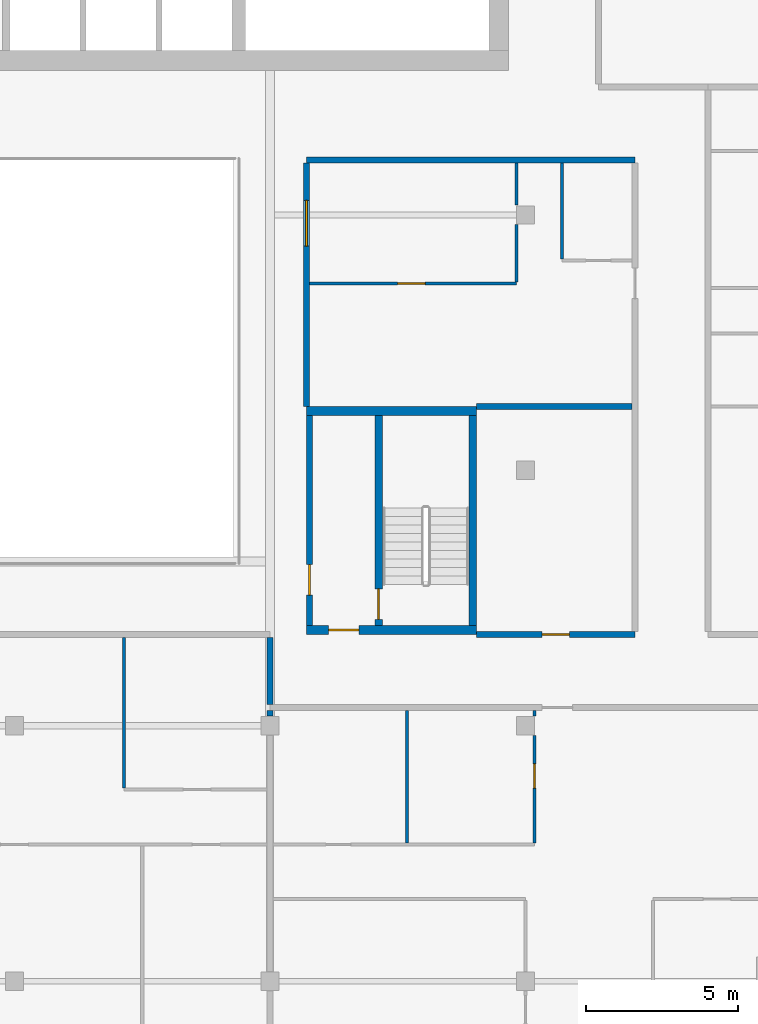
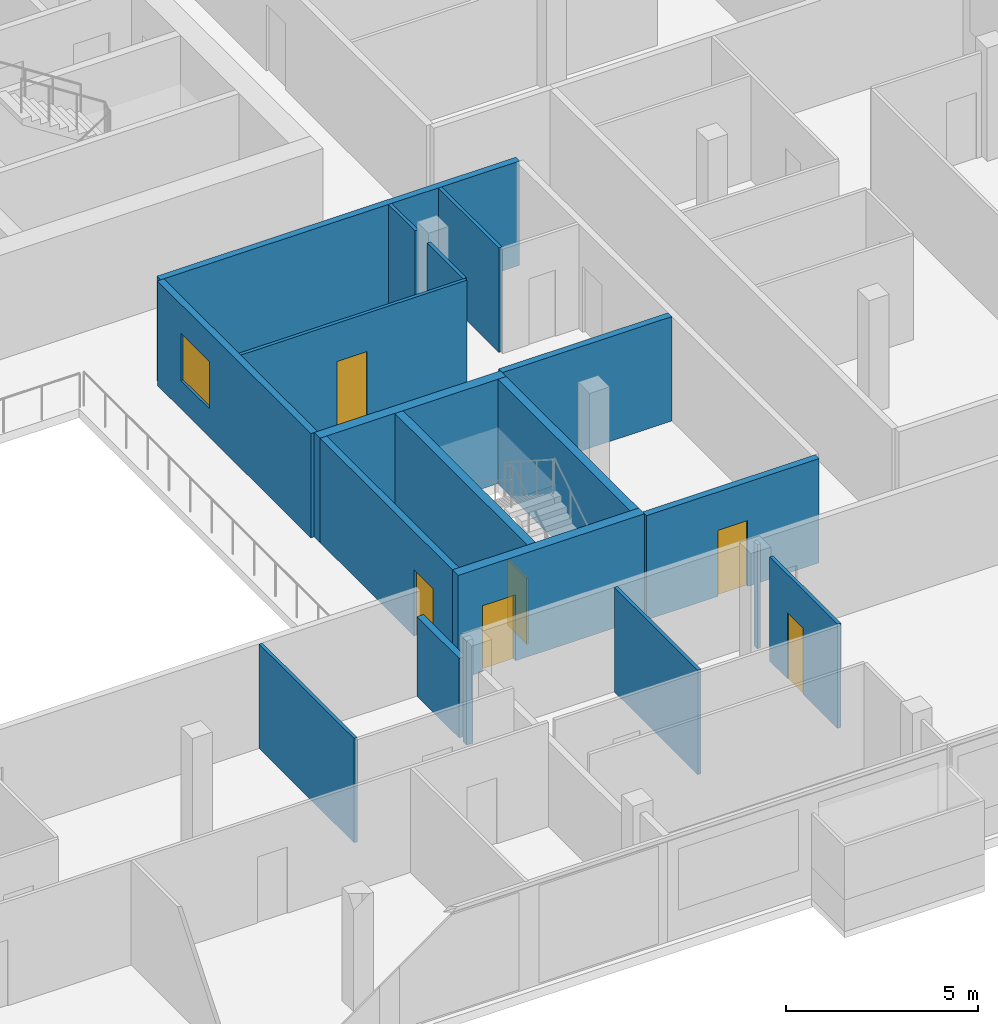
# One storey, part 20 of 30: 19 walls, 6 doors, 1 window, 7 openings.
"""IFC4 building model written with IfcOpenShell, lengths in metres."""

from ifc_helpers import new_model, si_unit, direction, frame, frame_2d, origin, place, context, subcontext, project, spatial, rectangle, extrude, material, layer, layer_set, type_object, element, fill, save


model = new_model("IFC4")

# Units and contexts
model_context = context("Model", 3, precision=1e-05, world=origin(), true_north=direction((0.0, 1.0)))
body_context = subcontext(model_context, "Body", "Model", "MODEL_VIEW")
ifc_project = project(units=[si_unit("LENGTHUNIT", "METRE"), si_unit("AREAUNIT", "SQUARE_METRE"), si_unit("VOLUMEUNIT", "CUBIC_METRE"), si_unit("PLANEANGLEUNIT", "RADIAN"), si_unit("MASSUNIT", "GRAM", prefix="KILO")], contexts=[model_context])

# Site, building, storey
site_placement = place(None, origin())
site = spatial("IfcSite", under=ifc_project, at=site_placement, CompositionType="ELEMENT")
building_placement = place(site_placement, origin())
building = spatial("IfcBuilding", under=site, at=building_placement, Name="Saffron Gate Tower", CompositionType="ELEMENT")
storey_placement = place(building_placement, frame((0.0, 0.0, 223.5)))
storey = spatial("IfcBuildingStorey", under=building, at=storey_placement, Name="L54", CompositionType="ELEMENT", Elevation=223.5)

# Wall, opening, door
ifc_material_1 = material(Name="Gypsum board partition on steel studs", Category="steel")
ifc_layer_1 = layer(ifc_material_1, 0.199951171875)
ifc_layer_set_1 = layer_set([ifc_layer_1], Name="CW10 Core partition 200")
wall_type_1 = type_object("IfcWallType", Name="CW10 Core partition 200", PredefinedType="PARTITIONING", material=ifc_layer_set_1)
wall_1_placement = place(storey_placement, frame((101.5, 43.5, 0.0), z_axis=(0.0, 0.0, 1.0), x_axis=(0.0, 1.0, 0.0)))
wall_1 = element("IfcWall", 1, at=wall_1_placement, inside=storey, type_object=wall_type_1, Name="Wall CW10-L54-E-2", PredefinedType="PARTITIONING", context=body_context, shape_type="SweptSolid", body=[
    extrude(rectangle(XDim=6.89990234375, YDim=0.199951171875, at=frame_2d((3.449951171875, 0.0))), origin(), (0.0, 0.0, 1.0), 3.320068359375),
])
opening_1_placement = place(wall_1_placement, frame((1.0, 0.0, 0.0)))
opening_1 = element("IfcOpeningElement", 2, at=opening_1_placement, cuts=wall_1, Name="Opening CR-22", PredefinedType="OPENING", context=body_context, shape_type="SweptSolid", body=[
    extrude(rectangle(XDim=1.0, YDim=2.10009765625, at=frame_2d((0.5, 1.050048828125))), frame((0.0, 0.10986328125, 0.0), z_axis=(0.0, -1.0, 0.0), x_axis=(1.0, 0.0, 0.0)), (0.0, 0.0, 1.0), 0.219970703125),
])
ifc_material_2 = material(Name="Steel fire door set", Category="steel")
door_type_1 = type_object("IfcDoorType", Name="CD4 Lobby door 1000x2100 EI 120", OperationType="NOTDEFINED", PredefinedType="DOOR", material=ifc_material_2)
door_1_placement = place(opening_1_placement, origin())
door_1 = element("IfcDoor", 3, at=door_1_placement, inside=storey, type_object=door_type_1, Name="DOOR CR-22", OperationType="SINGLE_SWING_LEFT", OverallHeight=2.10009765625, OverallWidth=1.0, PredefinedType="DOOR", context=body_context, shape_type="SweptSolid", body=[
    extrude(rectangle(XDim=1.0, YDim=2.10009765625, at=frame_2d((0.5, 1.050048828125))), frame((0.0, 0.02490234375, 0.0), z_axis=(0.0, -1.0, 0.0), x_axis=(1.0, 0.0, 0.0)), (0.0, 0.0, 1.0), 0.050048828125),
])
fill(opening_1, door_1)

ifc_material_3 = material(Name="Concrete C60", Category="concrete")
ifc_layer_2 = layer(ifc_material_3, 0.25)
ifc_layer_set_2 = layer_set([ifc_layer_2], Name="CW14 RC core wall 250 C60")
wall_type_2 = type_object("IfcWallType", Name="CW14 RC core wall 250 C60", PredefinedType="SOLIDWALL", material=ifc_layer_set_2)
wall_2_placement = place(storey_placement, frame((103.77490234375, 43.5, 0.0), z_axis=(0.0, 0.0, 1.0), x_axis=(0.0, 1.0, 0.0)))
wall_2 = element("IfcWall", 4, at=wall_2_placement, inside=storey, type_object=wall_type_2, Name="Wall CW14-L54-E-3", PredefinedType="SOLIDWALL", context=body_context, shape_type="SweptSolid", body=[
    extrude(rectangle(XDim=6.89990234375, YDim=0.25, at=frame_2d((3.449951171875, 0.0))), origin(), (0.0, 0.0, 1.0), 3.320068359375),
])
opening_2_placement = place(wall_2_placement, frame((0.199951171875, 0.0, 0.0)))
opening_2 = element("IfcOpeningElement", 5, at=opening_2_placement, cuts=wall_2, Name="Opening CR-23", PredefinedType="OPENING", context=body_context, shape_type="SweptSolid", body=[
    extrude(rectangle(XDim=1.0, YDim=2.10009765625, at=frame_2d((0.5, 1.050048828125))), frame((0.0, 0.135009765625, 0.0), z_axis=(0.0, -1.0, 0.0), x_axis=(1.0, 0.0, 0.0)), (0.0, 0.0, 1.0), 0.27001953125),
])
door_type_2 = type_object("IfcDoorType", Name="CD5 Stair door 1000x2100 EI 120", OperationType="NOTDEFINED", PredefinedType="DOOR", material=ifc_material_2)
door_2_placement = place(opening_2_placement, origin())
door_2 = element("IfcDoor", 6, at=door_2_placement, inside=storey, type_object=door_type_2, Name="DOOR CR-23", OperationType="SINGLE_SWING_RIGHT", OverallHeight=2.10009765625, OverallWidth=1.0, PredefinedType="DOOR", context=body_context, shape_type="SweptSolid", body=[
    extrude(rectangle(XDim=1.0, YDim=2.10009765625, at=frame_2d((0.5, 1.050048828125))), frame((0.0, 0.02490234375, 0.0), z_axis=(0.0, -1.0, 0.0), x_axis=(1.0, 0.0, 0.0)), (0.0, 0.0, 1.0), 0.050048828125),
])
fill(opening_2, door_2)

# Wall
wall_3_placement = place(storey_placement, frame((106.875, 43.5, 0.0), z_axis=(0.0, 0.0, 1.0), x_axis=(0.0, 1.0, 0.0)))
element("IfcWall", 7, at=wall_3_placement, inside=storey, type_object=wall_type_2, Name="Wall CW14-L54-E-4", PredefinedType="SOLIDWALL", context=body_context, shape_type="SweptSolid", body=[
    extrude(rectangle(XDim=6.89990234375, YDim=0.25, at=frame_2d((3.449951171875, 0.0))), origin(), (0.0, 0.0, 1.0), 3.320068359375),
])

# Wall, opening, door
ifc_layer_3 = layer(ifc_material_3, 0.300048828125)
ifc_layer_set_3 = layer_set([ifc_layer_3], Name="CW17 RC core wall 300 C60")
wall_type_3 = type_object("IfcWallType", Name="CW17 RC core wall 300 C60", PredefinedType="SOLIDWALL", material=ifc_layer_set_3)
wall_4_placement = place(storey_placement, frame((101.39990234375, 43.35009765625, 0.0), z_axis=(0.0, 0.0, 1.0), x_axis=(1.0, 0.0, 0.0)))
wall_4 = element("IfcWall", 8, at=wall_4_placement, inside=storey, type_object=wall_type_3, Name="Wall CW17-L54-E-1", PredefinedType="SOLIDWALL", context=body_context, shape_type="SweptSolid", body=[
    extrude(rectangle(XDim=5.60009765625, YDim=0.300048828125, at=frame_2d((2.800048828125, 0.0))), origin(), (0.0, 0.0, 1.0), 3.320068359375),
])
opening_3_placement = place(wall_4_placement, frame((0.72509765625, 0.0, 0.0)))
opening_3 = element("IfcOpeningElement", 9, at=opening_3_placement, cuts=wall_4, Name="Opening CR-21", PredefinedType="OPENING", context=body_context, shape_type="SweptSolid", body=[
    extrude(rectangle(XDim=1.0, YDim=2.10009765625, at=frame_2d((0.5, 1.050048828125))), frame((0.0, 0.16015625, 0.0), z_axis=(0.0, -1.0, 0.0), x_axis=(1.0, 0.0, 0.0)), (0.0, 0.0, 1.0), 0.320068359375),
])
door_3_placement = place(opening_3_placement, origin())
door_3 = element("IfcDoor", 10, at=door_3_placement, inside=storey, type_object=door_type_1, Name="DOOR CR-21", OperationType="SINGLE_SWING_RIGHT", OverallHeight=2.10009765625, OverallWidth=1.0, PredefinedType="DOOR", context=body_context, shape_type="SweptSolid", body=[
    extrude(rectangle(XDim=1.0, YDim=2.10009765625, at=frame_2d((0.5, 1.050048828125))), frame((0.0, 0.02490234375, 0.0), z_axis=(0.0, -1.0, 0.0), x_axis=(1.0, 0.0, 0.0)), (0.0, 0.0, 1.0), 0.050048828125),
])
fill(opening_3, door_3)

# Wall
wall_5_placement = place(storey_placement, frame((101.39990234375, 50.550048828125, 0.0), z_axis=(0.0, 0.0, 1.0), x_axis=(1.0, 0.0, 0.0)))
element("IfcWall", 11, at=wall_5_placement, inside=storey, type_object=wall_type_3, Name="Wall CW17-L54-E-5", PredefinedType="SOLIDWALL", context=body_context, shape_type="SweptSolid", body=[
    extrude(rectangle(XDim=5.60009765625, YDim=0.300048828125, at=frame_2d((2.800048828125, 0.0))), origin(), (0.0, 0.0, 1.0), 3.320068359375),
])

# Wall, opening, door
ifc_material_4 = material(Name="Plasterboard on steel studs", Category="steel")
ifc_layer_4 = layer(ifc_material_4, 0.10009765625)
ifc_layer_set_4 = layer_set([ifc_layer_4], Name="PW1 Partition 100")
wall_type_4 = type_object("IfcWallType", Name="PW1 Partition 100", PredefinedType="PARTITIONING", material=ifc_layer_set_4)
wall_6_placement = place(storey_placement, frame((101.5, 54.75, 0.0), z_axis=(0.0, 0.0, 1.0), x_axis=(1.0, 0.0, 0.0)))
wall_6 = element("IfcWall", 12, at=wall_6_placement, inside=storey, type_object=wall_type_4, Name="Partition D2-31", PredefinedType="PARTITIONING", context=body_context, shape_type="SweptSolid", body=[
    extrude(rectangle(XDim=6.800048828125, YDim=0.10009765625, at=frame_2d((3.39990234375, 0.0))), origin(), (0.0, 0.0, 1.0), 3.320068359375),
])
opening_4_placement = place(wall_6_placement, frame((2.89990234375, 0.0, 0.0)))
opening_4 = element("IfcOpeningElement", 13, at=opening_4_placement, cuts=wall_6, Name="Opening D2-38", PredefinedType="OPENING", context=body_context, shape_type="SweptSolid", body=[
    extrude(rectangle(XDim=0.89990234375, YDim=2.10009765625, at=frame_2d((0.449951171875, 1.050048828125))), frame((0.0, 0.06005859375, 0.0), z_axis=(0.0, -1.0, 0.0), x_axis=(1.0, 0.0, 0.0)), (0.0, 0.0, 1.0), 0.1201171875),
])
ifc_material_5 = material(Name="Timber door set", Category="wood")
door_type_3 = type_object("IfcDoorType", Name="RD1 Room door 900x2100", OperationType="NOTDEFINED", PredefinedType="DOOR", material=ifc_material_5)
door_4_placement = place(opening_4_placement, origin())
door_4 = element("IfcDoor", 14, at=door_4_placement, inside=storey, type_object=door_type_3, Name="Door D2-38", OperationType="SINGLE_SWING_LEFT", OverallHeight=2.10009765625, OverallWidth=0.89990234375, PredefinedType="DOOR", context=body_context, shape_type="SweptSolid", body=[
    extrude(rectangle(XDim=0.89990234375, YDim=2.10009765625, at=frame_2d((0.449951171875, 1.050048828125))), frame((0.0, 0.02490234375, 0.0), z_axis=(0.0, -1.0, 0.0), x_axis=(1.0, 0.0, 0.0)), (0.0, 0.0, 1.0), 0.050048828125),
])
fill(opening_4, door_4)

# Walls
wall_7_placement = place(storey_placement, frame((95.39990234375, 43.10009765625, 0.0), z_axis=(0.0, 0.0, 1.0), x_axis=(0.0, -1.0, 0.0)))
element("IfcWall", 15, at=wall_7_placement, inside=storey, type_object=wall_type_4, Name="Partition D2-88", PredefinedType="PARTITIONING", context=body_context, shape_type="SweptSolid", body=[
    extrude(rectangle(XDim=4.9501953125, YDim=0.10009765625, at=frame_2d((2.47509765625, 0.0))), origin(), (0.0, 0.0, 1.0), 3.320068359375),
])
wall_8_placement = place(storey_placement, frame((104.699951171875, 40.699951171875, 0.0), z_axis=(0.0, 0.0, 1.0), x_axis=(0.0, -1.0, 0.0)))
element("IfcWall", 16, at=wall_8_placement, inside=storey, type_object=wall_type_4, Name="Partition D2-95", PredefinedType="PARTITIONING", context=body_context, shape_type="SweptSolid", body=[
    extrude(rectangle(XDim=4.349853515625, YDim=0.10009765625, at=frame_2d((2.1748046875, 0.0))), origin(), (0.0, 0.0, 1.0), 3.320068359375),
])
wall_9_placement = place(storey_placement, frame((108.300048828125, 56.679931640625, 0.0), z_axis=(0.0, 0.0, 1.0), x_axis=(0.0, -1.0, 0.0)))
element("IfcWall", 17, at=wall_9_placement, inside=storey, type_object=wall_type_4, Name="Partition D2-96", PredefinedType="PARTITIONING", context=body_context, shape_type="SweptSolid", body=[
    extrude(rectangle(XDim=1.8798828125, YDim=0.10009765625, at=frame_2d((0.93994140625, 0.0))), origin(), (0.0, 0.0, 1.0), 3.320068359375),
])
wall_10_placement = place(storey_placement, frame((108.300048828125, 58.699951171875, 0.0), z_axis=(0.0, 0.0, 1.0), x_axis=(0.0, -1.0, 0.0)))
element("IfcWall", 18, at=wall_10_placement, inside=storey, type_object=wall_type_4, Name="Partition D2-97", PredefinedType="PARTITIONING", context=body_context, shape_type="SweptSolid", body=[
    extrude(rectangle(XDim=1.3798828125, YDim=0.10009765625, at=frame_2d((0.68994140625, 0.0))), origin(), (0.0, 0.0, 1.0), 3.320068359375),
])

# Wall, opening, door
wall_11_placement = place(storey_placement, frame((108.89990234375, 36.35009765625, 0.0), z_axis=(0.0, 0.0, 1.0), x_axis=(0.0, 1.0, 0.0)))
wall_11 = element("IfcWall", 19, at=wall_11_placement, inside=storey, type_object=wall_type_4, Name="Partition D2-100", PredefinedType="PARTITIONING", context=body_context, shape_type="SweptSolid", body=[
    extrude(rectangle(XDim=3.52978515625, YDim=0.10009765625, at=frame_2d((1.764892578125, 0.0))), origin(), (0.0, 0.0, 1.0), 3.320068359375),
])
opening_5_placement = place(wall_11_placement, frame((1.800048828125, 0.0, 0.0)))
opening_5 = element("IfcOpeningElement", 20, at=opening_5_placement, cuts=wall_11, Name="Opening D2-44", PredefinedType="OPENING", context=body_context, shape_type="SweptSolid", body=[
    extrude(rectangle(XDim=0.800048828125, YDim=2.10009765625, at=frame_2d((0.39990234375, 1.050048828125))), frame((0.0, 0.06005859375, 0.0), z_axis=(0.0, -1.0, 0.0), x_axis=(1.0, 0.0, 0.0)), (0.0, 0.0, 1.0), 0.1201171875),
])
door_type_4 = type_object("IfcDoorType", Name="RD2 Bathroom door 800x2100", OperationType="NOTDEFINED", PredefinedType="DOOR", material=ifc_material_5)
door_5_placement = place(opening_5_placement, origin())
door_5 = element("IfcDoor", 21, at=door_5_placement, inside=storey, type_object=door_type_4, Name="Door D2-44", OperationType="SINGLE_SWING_RIGHT", OverallHeight=2.10009765625, OverallWidth=0.800048828125, PredefinedType="DOOR", context=body_context, shape_type="SweptSolid", body=[
    extrude(rectangle(XDim=0.800048828125, YDim=2.10009765625, at=frame_2d((0.39990234375, 1.050048828125))), frame((0.0, 0.02490234375, 0.0), z_axis=(0.0, -1.0, 0.0), x_axis=(1.0, 0.0, 0.0)), (0.0, 0.0, 1.0), 0.050048828125),
])
fill(opening_5, door_5)

# Walls
wall_12_placement = place(storey_placement, frame((108.89990234375, 40.699951171875, 0.0), z_axis=(0.0, 0.0, 1.0), x_axis=(0.0, -1.0, 0.0)))
element("IfcWall", 22, at=wall_12_placement, inside=storey, type_object=wall_type_4, Name="Partition D2-101", PredefinedType="PARTITIONING", context=body_context, shape_type="SweptSolid", body=[
    extrude(rectangle(XDim=0.179931640625, YDim=0.10009765625, at=frame_2d((0.08984375, 0.0))), origin(), (0.0, 0.0, 1.0), 3.320068359375),
])
wall_13_placement = place(storey_placement, frame((109.800048828125, 58.699951171875, 0.0), z_axis=(0.0, 0.0, 1.0), x_axis=(0.0, -1.0, 0.0)))
element("IfcWall", 23, at=wall_13_placement, inside=storey, type_object=wall_type_4, Name="Partition D2-102", PredefinedType="PARTITIONING", context=body_context, shape_type="SweptSolid", body=[
    extrude(rectangle(XDim=3.14990234375, YDim=0.10009765625, at=frame_2d((1.574951171875, 0.0))), origin(), (0.0, 0.0, 1.0), 3.320068359375),
])
ifc_material_6 = material(Name="Clay brick masonry, rendered", Category="masonry")
ifc_layer_5 = layer(ifc_material_6, 0.199951171875)
ifc_layer_set_5 = layer_set([ifc_layer_5], Name="PW2 Demising wall 200")
wall_type_5 = type_object("IfcWallType", Name="PW2 Demising wall 200", PredefinedType="PARTITIONING", material=ifc_layer_set_5)
wall_14_placement = place(storey_placement, frame((107.0, 50.699951171875, 0.0), z_axis=(0.0, 0.0, 1.0), x_axis=(1.0, 0.0, 0.0)))
element("IfcWall", 24, at=wall_14_placement, inside=storey, type_object=wall_type_5, Name="Wall D2-25", PredefinedType="PARTITIONING", context=body_context, shape_type="SweptSolid", body=[
    extrude(rectangle(XDim=5.10009765625, YDim=0.199951171875, at=frame_2d((2.550048828125, 0.0))), origin(), (0.0, 0.0, 1.0), 3.320068359375),
])
wall_15_placement = place(storey_placement, frame((100.199951171875, 40.699951171875, 0.0), z_axis=(0.0, 0.0, 1.0), x_axis=(0.0, -1.0, 0.0)))
element("IfcWall", 25, at=wall_15_placement, inside=storey, type_object=wall_type_5, Name="Wall D2-93", PredefinedType="PARTITIONING", context=body_context, shape_type="SweptSolid", body=[
    extrude(rectangle(XDim=0.179931640625, YDim=0.199951171875, at=frame_2d((0.08984375, 0.0))), origin(), (0.0, 0.0, 1.0), 3.320068359375),
])

# Wall, opening, door
ifc_layer_6 = layer(ifc_material_6, 0.199951171875)
ifc_layer_set_6 = layer_set([ifc_layer_6], Name="PW3 Corridor wall 200")
wall_type_6 = type_object("IfcWallType", Name="PW3 Corridor wall 200", PredefinedType="PARTITIONING", material=ifc_layer_set_6)
wall_16_placement = place(storey_placement, frame((107.0, 43.199951171875, 0.0), z_axis=(0.0, 0.0, 1.0), x_axis=(1.0, 0.0, 0.0)))
wall_16 = element("IfcWall", 26, at=wall_16_placement, inside=storey, type_object=wall_type_6, Name="Wall D2-16", PredefinedType="PARTITIONING", context=body_context, shape_type="SweptSolid", body=[
    extrude(rectangle(XDim=5.199951171875, YDim=0.199951171875, at=frame_2d((2.60009765625, 0.0))), origin(), (0.0, 0.0, 1.0), 3.320068359375),
])
opening_6_placement = place(wall_16_placement, frame((2.14990234375, 0.0, 0.0)))
opening_6 = element("IfcOpeningElement", 27, at=opening_6_placement, cuts=wall_16, Name="Opening D2-54", PredefinedType="OPENING", context=body_context, shape_type="SweptSolid", body=[
    extrude(rectangle(XDim=0.89990234375, YDim=2.10009765625, at=frame_2d((0.449951171875, 1.050048828125))), frame((0.0, 0.10986328125, 0.0), z_axis=(0.0, -1.0, 0.0), x_axis=(1.0, 0.0, 0.0)), (0.0, 0.0, 1.0), 0.219970703125),
])
door_type_5 = type_object("IfcDoorType", Name="SD1 Service door 900x2100", OperationType="NOTDEFINED", PredefinedType="DOOR", material=ifc_material_2)
door_6_placement = place(opening_6_placement, origin())
door_6 = element("IfcDoor", 28, at=door_6_placement, inside=storey, type_object=door_type_5, Name="Door D2-54", OperationType="SINGLE_SWING_LEFT", OverallHeight=2.10009765625, OverallWidth=0.89990234375, PredefinedType="DOOR", context=body_context, shape_type="SweptSolid", body=[
    extrude(rectangle(XDim=0.89990234375, YDim=2.10009765625, at=frame_2d((0.449951171875, 1.050048828125))), frame((0.0, 0.02490234375, 0.0), z_axis=(0.0, -1.0, 0.0), x_axis=(1.0, 0.0, 0.0)), (0.0, 0.0, 1.0), 0.050048828125),
])
fill(opening_6, door_6)

# Walls
wall_17_placement = place(storey_placement, frame((101.39990234375, 58.800048828125, 0.0), z_axis=(0.0, 0.0, 1.0), x_axis=(1.0, 0.0, 0.0)))
element("IfcWall", 29, at=wall_17_placement, inside=storey, type_object=wall_type_6, Name="Wall D2-37", PredefinedType="PARTITIONING", context=body_context, shape_type="SweptSolid", body=[
    extrude(rectangle(XDim=10.800048828125, YDim=0.199951171875, at=frame_2d((5.39990234375, 0.0))), origin(), (0.0, 0.0, 1.0), 3.320068359375),
])
wall_18_placement = place(storey_placement, frame((100.199951171875, 43.10009765625, 0.0), z_axis=(0.0, 0.0, 1.0), x_axis=(0.0, -1.0, 0.0)))
element("IfcWall", 30, at=wall_18_placement, inside=storey, type_object=wall_type_6, Name="Wall D2-90", PredefinedType="PARTITIONING", context=body_context, shape_type="SweptSolid", body=[
    extrude(rectangle(XDim=2.2001953125, YDim=0.199951171875, at=frame_2d((1.10009765625, 0.0))), origin(), (0.0, 0.0, 1.0), 2.530029296875),
])

# Wall, opening, window
wall_19_placement = place(storey_placement, frame((101.39990234375, 58.699951171875, 0.0), z_axis=(0.0, 0.0, 1.0), x_axis=(0.0, -1.0, 0.0)))
wall_19 = element("IfcWall", 31, at=wall_19_placement, inside=storey, type_object=wall_type_6, Name="Wall D2-94", PredefinedType="PARTITIONING", context=body_context, shape_type="SweptSolid", body=[
    extrude(rectangle(XDim=8.0, YDim=0.199951171875, at=frame_2d((4.0, 0.0))), origin(), (0.0, 0.0, 1.0), 3.320068359375),
])
opening_7_placement = place(wall_19_placement, frame((1.22509765625, 0.0, 0.89990234375)))
opening_7 = element("IfcOpeningElement", 32, at=opening_7_placement, cuts=wall_19, Name="Opening GW1", PredefinedType="OPENING", context=body_context, shape_type="SweptSolid", body=[
    extrude(rectangle(XDim=1.5, YDim=1.5, at=frame_2d((0.75, 0.75))), frame((0.0, 0.10986328125, 0.0), z_axis=(0.0, -1.0, 0.0), x_axis=(1.0, 0.0, 0.0)), (0.0, 0.0, 1.0), 0.219970703125),
])
ifc_material_7 = material(Name="Fire-resisting laminated glass in steel frame", Category="steel")
ifc_layer_7 = layer(ifc_material_7, 0.06005859375)
ifc_layer_set_7 = layer_set([ifc_layer_7], Name="GW1 Gallery window 1500x1500")
window_type = type_object("IfcWindowType", Name="GW1 Gallery window 1500x1500", PartitioningType="SINGLE_PANEL", PredefinedType="WINDOW", material=ifc_layer_set_7)
window_placement = place(opening_7_placement, origin())
window = element("IfcWindow", 33, at=window_placement, inside=storey, type_object=window_type, Name="GW1 window D2-J-B1", OverallHeight=1.5, OverallWidth=1.5, PartitioningType="SINGLE_PANEL", PredefinedType="WINDOW", context=body_context, shape_type="SweptSolid", body=[
    extrude(rectangle(XDim=1.5, YDim=1.5, at=frame_2d((0.75, 0.75))), frame((0.0, 0.030029296875, 0.0), z_axis=(0.0, -1.0, 0.0), x_axis=(1.0, 0.0, 0.0)), (0.0, 0.0, 1.0), 0.06005859375),
])
fill(opening_7, window)

save(model, "model.ifc")
